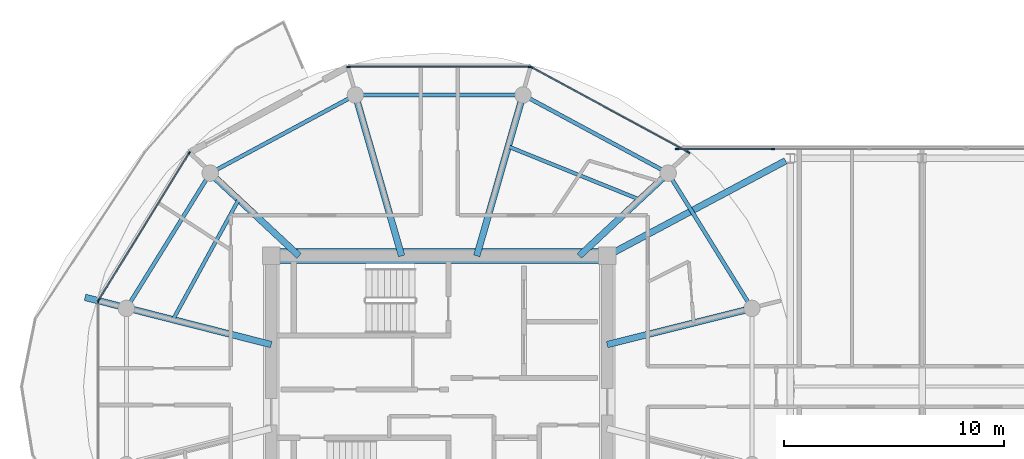
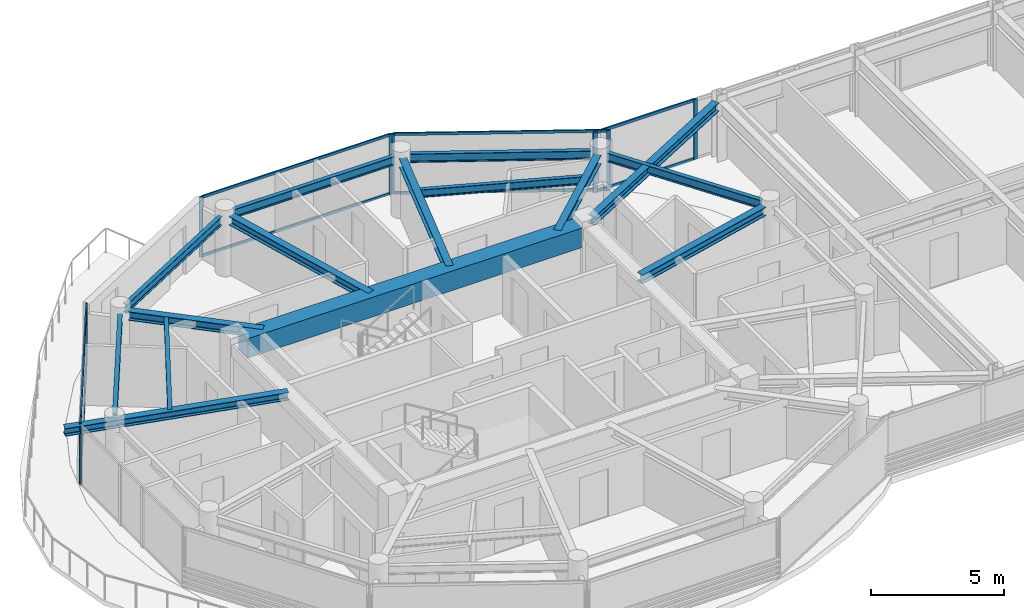
# One storey, part 5 of 23: 17 members, 15 beams, 5 elements without a shape of their own.
"""IFC4 building model written with IfcOpenShell, lengths in metres."""

from ifc_helpers import new_model, si_unit, direction, frame, origin, origin_2d, place, context, subcontext, project, spatial, rectangle, i_section, extrude, source, transform, mapped, material, layer, layer_set, material_profile, profile_set, type_object, type_shapes, element, aggregate, save


model = new_model("IFC4")

# Units and contexts
model_context = context("Model", 3, precision=1e-05, world=origin(), true_north=direction((0.0, 1.0)))
body_context = subcontext(model_context, "Body", "Model", "MODEL_VIEW")
ifc_project = project(units=[si_unit("LENGTHUNIT", "METRE"), si_unit("AREAUNIT", "SQUARE_METRE"), si_unit("VOLUMEUNIT", "CUBIC_METRE"), si_unit("PLANEANGLEUNIT", "RADIAN"), si_unit("MASSUNIT", "GRAM", prefix="KILO")], contexts=[model_context])

# Site, building, storey
site_placement = place(None, origin())
site = spatial("IfcSite", under=ifc_project, at=site_placement, CompositionType="ELEMENT")
building_placement = place(site_placement, origin())
building = spatial("IfcBuilding", under=site, at=building_placement, Name="Norrkilde Senior Care Towers", CompositionType="ELEMENT")
storey_placement = place(building_placement, frame((0.0, 0.0, 207.800048828125)))
storey = spatial("IfcBuildingStorey", under=building, at=storey_placement, Name="L64", CompositionType="ELEMENT", Elevation=207.800048828125)

# Beams
ifc_material_1 = material(Name="Concrete C60/75", Category="concrete")
ifc_material_profile_1 = material_profile(ifc_material_1, rectangle(XDim=0.699951171875, YDim=0.89990234375, at=origin_2d()), Name="RC BM 700x900")
ifc_profile_set_1 = profile_set([ifc_material_profile_1], Name="Concrete C60/75")
beam_type_1 = type_object("IfcBeamType", Name="Core Coupling Girder 700x900", PredefinedType="USERDEFINED", material=ifc_profile_set_1)
shared_shape_1 = source(origin(), body_context, "Body", "SweptSolid", [
    extrude(rectangle(XDim=0.699951171875, YDim=0.89990234375, at=origin_2d()), origin(), (0.0, 0.0, 1.0), 14.5400390625),
])
type_shapes(beam_type_1, [shared_shape_1])
beam_1_placement = place(storey_placement, frame((-35.27001953125, 5.949951171875, 2.31005859375), z_axis=(1.0, 0.0, 0.0), x_axis=(0.0, 1.0, 0.0)))
element("IfcBeam", 1, at=beam_1_placement, inside=storey, type_object=beam_type_1, Name="L64 Core W N Coupling Girder", ObjectType="GIRDER", PredefinedType="USERDEFINED", context=body_context, shape_type="MappedRepresentation", body=[
    mapped(shared_shape_1, transform((0.0, 0.0, 0.0), x_axis=(1.0, 0.0, 0.0), y_axis=(0.0, 1.0, 0.0), z_axis=(0.0, 0.0, 1.0), scale=1.0)),
])
ifc_material_2 = material(Name="Steel S355", Category="steel")
ifc_material_profile_2 = material_profile(ifc_material_2, i_section(OverallWidth=0.179931640625, OverallDepth=0.39990234375, WebThickness=0.008544921875, FlangeThickness=0.013427734375, FilletRadius=0.02099609375, at=origin_2d()), Name="IPE 400")
ifc_profile_set_2 = profile_set([ifc_material_profile_2], Name="Steel S355")
beam_type_2 = type_object("IfcBeamType", Name="Perimeter Ring Spandrel Z4 IPE400", PredefinedType="SPANDREL", material=ifc_profile_set_2)
shared_shape_2 = source(origin(), body_context, "Body", "SweptSolid", [
    extrude(i_section(OverallWidth=0.179931640625, OverallDepth=0.39990234375, WebThickness=0.008544921875, FlangeThickness=0.013427734375, FilletRadius=0.02099609375, at=origin_2d()), origin(), (0.0, 0.0, 1.0), 6.58056640625),
])
for number, where, z_axis, x_axis, name in (
    (2, (-13.928955078125, 3.843505859375, 2.56005859375), (-0.526529583789, 0.850156807533, 0.0), (-0.850156807533, -0.526529583789, 0.0), "L64 Drum W Perimeter Spandrel 01"),
    (3, (-38.606201171875, 9.43798828125, 2.56005859375), (-0.526529583789, -0.850156807533, 0.0), (0.850156807533, -0.526529583789, 0.0), "L64 Drum W Perimeter Spandrel 05"),
):
    element("IfcBeam", number, at=place(storey_placement, frame(where, z_axis=z_axis, x_axis=x_axis)), inside=storey, type_object=beam_type_2, Name=name, PredefinedType="SPANDREL", context=body_context, shape_type="MappedRepresentation", body=[
        mapped(shared_shape_2, transform((0.0, 0.0, 0.0), x_axis=(1.0, 0.0, 0.0), y_axis=(0.0, 1.0, 0.0), z_axis=(0.0, 0.0, 1.0), scale=1.0)),
    ])
ifc_material_profile_3 = material_profile(ifc_material_2, i_section(OverallWidth=0.300048828125, OverallDepth=0.39990234375, WebThickness=0.013427734375, FlangeThickness=0.02392578125, FilletRadius=0.027099609375, at=origin_2d()), Name="HEB 400")
ifc_profile_set_3 = profile_set([ifc_material_profile_3], Name="Steel S355")
beam_type_3 = type_object("IfcBeamType", Name="Radial Floor Beam Z4 HEB400", PredefinedType="BEAM", material=ifc_profile_set_3)
shared_shape_3 = source(origin(), body_context, "Body", "SweptSolid", [
    extrude(i_section(OverallWidth=0.300048828125, OverallDepth=0.39990234375, WebThickness=0.013427734375, FlangeThickness=0.02392578125, FilletRadius=0.027099609375, at=origin_2d()), origin(), (0.0, 0.0, 1.0), 6.465087890625),
])
beam_2_placement = place(storey_placement, frame((-20.35009765625, 1.910888671875, 2.56005859375), z_axis=(0.970195788563, 0.242322371758, 0.0), x_axis=(-0.242322371758, 0.970195788563, 0.0)))
element("IfcBeam", 4, at=beam_2_placement, inside=storey, type_object=beam_type_3, Name="L64 Drum W Radial Floor Beam 01", PredefinedType="BEAM", context=body_context, shape_type="MappedRepresentation", body=[
    mapped(shared_shape_3, transform((0.0, 0.0, 0.0), x_axis=(1.0, 0.0, 0.0), y_axis=(0.0, 1.0, 0.0), z_axis=(0.0, 0.0, 1.0), scale=1.0)),
])
shared_shape_4 = source(origin(), body_context, "Body", "SweptSolid", [
    extrude(i_section(OverallWidth=0.179931640625, OverallDepth=0.39990234375, WebThickness=0.008544921875, FlangeThickness=0.013427734375, FilletRadius=0.02099609375, at=origin_2d()), origin(), (0.0, 0.0, 1.0), 6.839111328125),
])
for number, where, z_axis, x_axis, name in (
    (5, (-17.865234375, 9.881591796875, 2.56005859375), (-0.880563930732, 0.473927382511, 0.0), (-0.473927382511, -0.880563930732, 0.0), "L64 Drum W Perimeter Spandrel 02"),
    (6, (-32.112548828125, 13.122802734375, 2.56005859375), (-0.880563930732, -0.473927382511, 0.0), (0.473927382511, -0.880563930732, 0.0), "L64 Drum W Perimeter Spandrel 04"),
):
    element("IfcBeam", number, at=place(storey_placement, frame(where, z_axis=z_axis, x_axis=x_axis)), inside=storey, type_object=beam_type_2, Name=name, PredefinedType="SPANDREL", context=body_context, shape_type="MappedRepresentation", body=[
        mapped(shared_shape_4, transform((0.0, 0.0, 0.0), x_axis=(1.0, 0.0, 0.0), y_axis=(0.0, 1.0, 0.0), z_axis=(0.0, 0.0, 1.0), scale=1.0)),
    ])
shared_shape_5 = source(origin(), body_context, "Body", "SweptSolid", [
    extrude(i_section(OverallWidth=0.300048828125, OverallDepth=0.39990234375, WebThickness=0.013427734375, FlangeThickness=0.02392578125, FilletRadius=0.027099609375, at=origin_2d()), origin(), (0.0, 0.0, 1.0), 5.197998046875),
])
for number, where, z_axis, x_axis, name in (
    (7, (-21.6171875, 5.949951171875, 2.56005859375), (0.731448749334, 0.681896419625, 0.0), (-0.681896419625, 0.731448749334, 0.0), "L64 Drum W Radial Floor Beam 02"),
    (8, (-34.3828125, 5.949951171875, 2.56005859375), (-0.731448749334, 0.681896419625, 0.0), (-0.681896419625, -0.731448749334, 0.0), "L64 Drum W Radial Floor Beam 05"),
):
    element("IfcBeam", number, at=place(storey_placement, frame(where, z_axis=z_axis, x_axis=x_axis)), inside=storey, type_object=beam_type_3, Name=name, PredefinedType="BEAM", context=body_context, shape_type="MappedRepresentation", body=[
        mapped(shared_shape_5, transform((0.0, 0.0, 0.0), x_axis=(1.0, 0.0, 0.0), y_axis=(0.0, 1.0, 0.0), z_axis=(0.0, 0.0, 1.0), scale=1.0)),
    ])
shared_shape_6 = source(origin(), body_context, "Body", "SweptSolid", [
    extrude(i_section(OverallWidth=0.179931640625, OverallDepth=0.39990234375, WebThickness=0.008544921875, FlangeThickness=0.013427734375, FilletRadius=0.02099609375, at=origin_2d()), origin(), (0.0, 0.0, 1.0), 6.96533203125),
])
type_shapes(beam_type_2, [shared_shape_2, shared_shape_4, shared_shape_6])
beam_3_placement = place(storey_placement, frame((-24.517333984375, 13.281494140625, 2.56005859375), z_axis=(-1.0, 0.0, 0.0), x_axis=(0.0, -1.0, 0.0)))
element("IfcBeam", 9, at=beam_3_placement, inside=storey, type_object=beam_type_2, Name="L64 Drum W Perimeter Spandrel 03", PredefinedType="SPANDREL", context=body_context, shape_type="MappedRepresentation", body=[
    mapped(shared_shape_6, transform((0.0, 0.0, 0.0), x_axis=(1.0, 0.0, 0.0), y_axis=(0.0, 1.0, 0.0), z_axis=(0.0, 0.0, 1.0), scale=1.0)),
])
shared_shape_7 = source(origin(), body_context, "Body", "SweptSolid", [
    extrude(i_section(OverallWidth=0.300048828125, OverallDepth=0.39990234375, WebThickness=0.013427734375, FlangeThickness=0.02392578125, FilletRadius=0.027099609375, at=origin_2d()), origin(), (0.0, 0.0, 1.0), 7.29345703125),
])
for number, where, z_axis, x_axis, name in (
    (10, (-26.289794921875, 5.949951171875, 2.56005859375), (0.276263751906, 0.961081858836, 0.0), (-0.961081858836, 0.276263751906, 0.0), "L64 Drum W Radial Floor Beam 03"),
    (11, (-29.710205078125, 5.949951171875, 2.56005859375), (-0.276263751906, 0.961081858836, 0.0), (-0.961081858836, -0.276263751906, 0.0), "L64 Drum W Radial Floor Beam 04"),
):
    element("IfcBeam", number, at=place(storey_placement, frame(where, z_axis=z_axis, x_axis=x_axis)), inside=storey, type_object=beam_type_3, Name=name, PredefinedType="BEAM", context=body_context, shape_type="MappedRepresentation", body=[
        mapped(shared_shape_7, transform((0.0, 0.0, 0.0), x_axis=(1.0, 0.0, 0.0), y_axis=(0.0, 1.0, 0.0), z_axis=(0.0, 0.0, 1.0), scale=1.0)),
    ])
ifc_material_profile_4 = material_profile(ifc_material_2, i_section(OverallWidth=0.169921875, OverallDepth=0.360107421875, WebThickness=0.008056640625, FlangeThickness=0.0126953125, FilletRadius=0.01806640625, at=origin_2d()), Name="IPE 360")
ifc_profile_set_4 = profile_set([ifc_material_profile_4], Name="Steel S355")
beam_type_4 = type_object("IfcBeamType", Name="Secondary Floor Joist IPE360", PredefinedType="JOIST", material=ifc_profile_set_4)
shared_shape_8 = source(origin(), body_context, "Body", "SweptSolid", [
    extrude(i_section(OverallWidth=0.169921875, OverallDepth=0.360107421875, WebThickness=0.008056640625, FlangeThickness=0.0126953125, FilletRadius=0.01806640625, at=origin_2d()), origin(), (0.0, 0.0, 1.0), 6.461669921875),
])
beam_4_placement = place(storey_placement, frame((-18.865234375, 8.515380859375, 2.579833984375), z_axis=(-0.927225942298, 0.374502405772, 0.0), x_axis=(-0.374502405772, -0.927225942298, 0.0)))
element("IfcBeam", 12, at=beam_4_placement, inside=storey, type_object=beam_type_4, Name="L64 Drum W Secondary Floor Joist 1", PredefinedType="JOIST", context=body_context, shape_type="MappedRepresentation", body=[
    mapped(shared_shape_8, transform((0.0, 0.0, 0.0), x_axis=(1.0, 0.0, 0.0), y_axis=(0.0, 1.0, 0.0), z_axis=(0.0, 0.0, 1.0), scale=1.0)),
])
shared_shape_9 = source(origin(), body_context, "Body", "SweptSolid", [
    extrude(i_section(OverallWidth=0.169921875, OverallDepth=0.360107421875, WebThickness=0.008056640625, FlangeThickness=0.0126953125, FilletRadius=0.01806640625, at=origin_2d()), origin(), (0.0, 0.0, 1.0), 6.25146484375),
])
type_shapes(beam_type_4, [shared_shape_8, shared_shape_9])
beam_5_placement = place(storey_placement, frame((-37.134765625, 8.515380859375, 2.579833984375), z_axis=(-0.480115752653, -0.877205143655, 0.0), x_axis=(0.877205143655, -0.480115752653, 0.0)))
element("IfcBeam", 13, at=beam_5_placement, inside=storey, type_object=beam_type_4, Name="L64 Drum W Secondary Floor Joist 2", PredefinedType="JOIST", context=body_context, shape_type="MappedRepresentation", body=[
    mapped(shared_shape_9, transform((0.0, 0.0, 0.0), x_axis=(1.0, 0.0, 0.0), y_axis=(0.0, 1.0, 0.0), z_axis=(0.0, 0.0, 1.0), scale=1.0)),
])
ifc_material_profile_5 = material_profile(ifc_material_2, i_section(OverallWidth=0.300048828125, OverallDepth=0.360107421875, WebThickness=0.012451171875, FlangeThickness=0.0224609375, FilletRadius=0.027099609375, at=origin_2d()), Name="HEB 360")
ifc_profile_set_5 = profile_set([ifc_material_profile_5], Name="Steel S355")
beam_type_5 = type_object("IfcBeamType", Name="Balcony Crest Cantilever Rib HEB360", PredefinedType="BEAM", material=ifc_profile_set_5)
shared_shape_10 = source(origin(), body_context, "Body", "SweptSolid", [
    extrude(i_section(OverallWidth=0.300048828125, OverallDepth=0.360107421875, WebThickness=0.012451171875, FlangeThickness=0.0224609375, FilletRadius=0.027099609375, at=origin_2d()), origin(), (0.0, 0.0, 1.0), 8.749755859375),
])
type_shapes(beam_type_5, [shared_shape_10])
beam_6_placement = place(storey_placement, frame((-35.64990234375, 1.910888671875, 2.579833984375), z_axis=(-0.969266368231, 0.246013632584, 0.0), x_axis=(-0.246013632584, -0.969266368231, 0.0)))
element("IfcBeam", 14, at=beam_6_placement, inside=storey, type_object=beam_type_5, Name="L64 Drum W Balcony Cantilever Rib", PredefinedType="BEAM", context=body_context, shape_type="MappedRepresentation", body=[
    mapped(shared_shape_10, transform((0.0, 0.0, 0.0), x_axis=(1.0, 0.0, 0.0), y_axis=(0.0, 1.0, 0.0), z_axis=(0.0, 0.0, 1.0), scale=1.0)),
])
shared_shape_11 = source(origin(), body_context, "Body", "SweptSolid", [
    extrude(i_section(OverallWidth=0.300048828125, OverallDepth=0.39990234375, WebThickness=0.013427734375, FlangeThickness=0.02392578125, FilletRadius=0.027099609375, at=origin_2d()), origin(), (0.0, 0.0, 1.0), 8.831787109375),
])
type_shapes(beam_type_3, [shared_shape_3, shared_shape_5, shared_shape_7, shared_shape_11])
beam_7_placement = place(storey_placement, frame((-20.0146484375, 6.128662109375, 2.56005859375), z_axis=(0.882492172381, 0.470327083727, 0.0), x_axis=(-0.470327083727, 0.882492172381, 0.0)))
element("IfcBeam", 15, at=beam_7_placement, inside=storey, type_object=beam_type_3, Name="L64 Sky-Gate Bridge Girder N1", PredefinedType="BEAM", context=body_context, shape_type="MappedRepresentation", body=[
    mapped(shared_shape_11, transform((0.0, 0.0, 0.0), x_axis=(1.0, 0.0, 0.0), y_axis=(0.0, 1.0, 0.0), z_axis=(0.0, 0.0, 1.0), scale=1.0)),
])

# Curtain wall, members
ifc_material_3 = material(Name="Triple Low-E Insulated Glazing", Category="glass")
ifc_layer_1 = layer(ifc_material_3, 0.18505859375)
ifc_layer_set_1 = layer_set([ifc_layer_1], Name="Triple Low-E Insulated Glazing")
curtain_wall_type_1 = type_object("IfcCurtainWallType", Name="CW6 Zone 4 Crown Pavilion Curtain Wall", PredefinedType="NOTDEFINED", material=ifc_layer_set_1)
curtain_wall_1_placement = place(storey_placement, origin())
curtain_wall_1 = element("IfcCurtainWall", 16, at=curtain_wall_1_placement, inside=storey, type_object=curtain_wall_type_1, Name="L64 Drum W Curtain Wall 04", PredefinedType="NOTDEFINED")
ifc_material_4 = material(Name="Anodised Aluminium", Category="aluminium")
ifc_material_profile_6 = material_profile(ifc_material_4, rectangle(XDim=0.06005859375, YDim=0.1201171875, at=origin_2d()), Name="ALU TRAN 60x120")
ifc_profile_set_6 = profile_set([ifc_material_profile_6], Name="Anodised Aluminium")
member_type_1 = type_object("IfcMemberType", Name="Curtain Wall Transom Typical 60x120", PredefinedType="USERDEFINED", material=ifc_profile_set_6)
shared_shape_12 = source(origin(), body_context, "Body", "SweptSolid", [
    extrude(rectangle(XDim=0.06005859375, YDim=0.1201171875, at=origin_2d()), origin(), (0.0, 0.0, 1.0), 7.808837890625),
])
member_1_placement = place(storey_placement, frame((-43.498046875, 3.958251953125, 0.030029296875), z_axis=(0.524250924101, 0.851563837055, 0.0), x_axis=(-0.851563837055, 0.524250924101, 0.0)))
member_1 = element("IfcMember", 17, at=member_1_placement, type_object=member_type_1, Name="CW-6 transom 1.1", ObjectType="TRANSOM", PredefinedType="USERDEFINED", context=body_context, shape_type="MappedRepresentation", body=[
    mapped(shared_shape_12, transform((0.0, 0.0, 0.0), x_axis=(1.0, 0.0, 0.0), y_axis=(0.0, 1.0, 0.0), z_axis=(0.0, 0.0, 1.0), scale=1.0)),
])
member_2_placement = place(storey_placement, frame((-43.498046875, 3.958251953125, 2.72998046875), z_axis=(0.524250924101, 0.851563837055, 0.0), x_axis=(-0.851563837055, 0.524250924101, 0.0)))
member_2 = element("IfcMember", 18, at=member_2_placement, type_object=member_type_1, Name="CW-6 transom 1.2", ObjectType="TRANSOM", PredefinedType="USERDEFINED", context=body_context, shape_type="MappedRepresentation", body=[
    mapped(shared_shape_12, transform((0.0, 0.0, 0.0), x_axis=(1.0, 0.0, 0.0), y_axis=(0.0, 1.0, 0.0), z_axis=(0.0, 0.0, 1.0), scale=1.0)),
])

curtain_wall_2_placement = place(storey_placement, origin())
curtain_wall_2 = element("IfcCurtainWall", 19, at=curtain_wall_2_placement, inside=storey, type_object=curtain_wall_type_1, Name="L64 Drum W Curtain Wall 02", PredefinedType="NOTDEFINED")
shared_shape_13 = source(origin(), body_context, "Body", "SweptSolid", [
    extrude(rectangle(XDim=0.06005859375, YDim=0.1201171875, at=origin_2d()), origin(), (0.0, 0.0, 1.0), 8.19384765625),
])
member_3_placement = place(storey_placement, frame((-32.096923828125, 14.566162109375, 0.030029296875), z_axis=(1.0, 0.0, 0.0), x_axis=(0.0, 1.0, 0.0)))
member_3 = element("IfcMember", 20, at=member_3_placement, type_object=member_type_1, Name="CW-6 transom 1.1", ObjectType="TRANSOM", PredefinedType="USERDEFINED", context=body_context, shape_type="MappedRepresentation", body=[
    mapped(shared_shape_13, transform((0.0, 0.0, 0.0), x_axis=(1.0, 0.0, 0.0), y_axis=(0.0, 1.0, 0.0), z_axis=(0.0, 0.0, 1.0), scale=1.0)),
])
member_4_placement = place(storey_placement, frame((-32.096923828125, 14.566162109375, 2.72998046875), z_axis=(1.0, 0.0, 0.0), x_axis=(0.0, 1.0, 0.0)))
member_4 = element("IfcMember", 21, at=member_4_placement, type_object=member_type_1, Name="CW-6 transom 1.2", ObjectType="TRANSOM", PredefinedType="USERDEFINED", context=body_context, shape_type="MappedRepresentation", body=[
    mapped(shared_shape_13, transform((0.0, 0.0, 0.0), x_axis=(1.0, 0.0, 0.0), y_axis=(0.0, 1.0, 0.0), z_axis=(0.0, 0.0, 1.0), scale=1.0)),
])

curtain_wall_3_placement = place(storey_placement, origin())
curtain_wall_3 = element("IfcCurtainWall", 22, at=curtain_wall_3_placement, inside=storey, type_object=curtain_wall_type_1, Name="L64 Drum W Curtain Wall 01", PredefinedType="NOTDEFINED")
shared_shape_14 = source(origin(), body_context, "Body", "SweptSolid", [
    extrude(rectangle(XDim=0.06005859375, YDim=0.1201171875, at=origin_2d()), origin(), (0.0, 0.0, 1.0), 8.0673828125),
])
type_shapes(member_type_1, [shared_shape_12, shared_shape_13, shared_shape_14])
member_5_placement = place(storey_placement, frame((-23.781005859375, 14.53515625, 0.030029296875), z_axis=(0.87937750072, -0.476125205411, 0.0), x_axis=(0.476125205411, 0.87937750072, 0.0)))
member_5 = element("IfcMember", 23, at=member_5_placement, type_object=member_type_1, Name="CW-6 transom 1.1", ObjectType="TRANSOM", PredefinedType="USERDEFINED", context=body_context, shape_type="MappedRepresentation", body=[
    mapped(shared_shape_14, transform((0.0, 0.0, 0.0), x_axis=(1.0, 0.0, 0.0), y_axis=(0.0, 1.0, 0.0), z_axis=(0.0, 0.0, 1.0), scale=1.0)),
])
member_6_placement = place(storey_placement, frame((-23.781005859375, 14.53515625, 2.72998046875), z_axis=(0.87937750072, -0.476125205411, 0.0), x_axis=(0.476125205411, 0.87937750072, 0.0)))
member_6 = element("IfcMember", 24, at=member_6_placement, type_object=member_type_1, Name="CW-6 transom 1.2", ObjectType="TRANSOM", PredefinedType="USERDEFINED", context=body_context, shape_type="MappedRepresentation", body=[
    mapped(shared_shape_14, transform((0.0, 0.0, 0.0), x_axis=(1.0, 0.0, 0.0), y_axis=(0.0, 1.0, 0.0), z_axis=(0.0, 0.0, 1.0), scale=1.0)),
])
ifc_material_profile_7 = material_profile(ifc_material_4, rectangle(XDim=0.06494140625, YDim=0.14990234375, at=origin_2d()), Name="ALU MULL 65x150")
ifc_profile_set_7 = profile_set([ifc_material_profile_7], Name="Anodised Aluminium")
member_type_2 = type_object("IfcMemberType", Name="Curtain Wall Mullion Z3-Z4 65x150", PredefinedType="MULLION", material=ifc_profile_set_7)
shared_shape_15 = source(origin(), body_context, "Body", "SweptSolid", [
    extrude(rectangle(XDim=0.06494140625, YDim=0.14990234375, at=origin_2d()), origin(), (0.0, 0.0, 1.0), 2.760009765625),
])
type_shapes(member_type_2, [shared_shape_15])
member_7_placement = place(storey_placement, frame((-23.8095703125, 14.55078125, 0.0), z_axis=(0.0, 0.0, 1.0), x_axis=(0.476132676136, 0.879373455772, 0.0)))
member_7 = element("IfcMember", 25, at=member_7_placement, type_object=member_type_2, Name="CW-6 mullion 1", PredefinedType="MULLION", context=body_context, shape_type="MappedRepresentation", body=[
    mapped(shared_shape_15, transform((0.0, 0.0, 0.0), x_axis=(1.0, 0.0, 0.0), y_axis=(0.0, 1.0, 0.0), z_axis=(0.0, 0.0, 1.0), scale=1.0)),
])
member_8_placement = place(storey_placement, frame((-16.658203125, 10.6787109375, 0.0), z_axis=(0.0, 0.0, 1.0), x_axis=(0.476132676136, 0.879373455772, 0.0)))
member_8 = element("IfcMember", 26, at=member_8_placement, type_object=member_type_2, Name="CW-6 mullion 2", PredefinedType="MULLION", context=body_context, shape_type="MappedRepresentation", body=[
    mapped(shared_shape_15, transform((0.0, 0.0, 0.0), x_axis=(1.0, 0.0, 0.0), y_axis=(0.0, 1.0, 0.0), z_axis=(0.0, 0.0, 1.0), scale=1.0)),
])
aggregate(curtain_wall_3, [member_7, member_8, member_5, member_6])

# Member
member_9_placement = place(storey_placement, frame((-32.12939453125, 14.566162109375, 0.0), z_axis=(0.0, 0.0, 1.0), x_axis=(0.0, 1.0, 0.0)))
member_9 = element("IfcMember", 27, at=member_9_placement, type_object=member_type_2, Name="CW-6 mullion 1", PredefinedType="MULLION", context=body_context, shape_type="MappedRepresentation", body=[
    mapped(shared_shape_15, transform((0.0, 0.0, 0.0), x_axis=(1.0, 0.0, 0.0), y_axis=(0.0, 1.0, 0.0), z_axis=(0.0, 0.0, 1.0), scale=1.0)),
])

member_10_placement = place(storey_placement, frame((-23.87060546875, 14.566162109375, 0.0), z_axis=(0.0, 0.0, 1.0), x_axis=(0.0, 1.0, 0.0)))
member_10 = element("IfcMember", 28, at=member_10_placement, type_object=member_type_2, Name="CW-6 mullion 2", PredefinedType="MULLION", context=body_context, shape_type="MappedRepresentation", body=[
    mapped(shared_shape_15, transform((0.0, 0.0, 0.0), x_axis=(1.0, 0.0, 0.0), y_axis=(0.0, 1.0, 0.0), z_axis=(0.0, 0.0, 1.0), scale=1.0)),
])

aggregate(curtain_wall_2, [member_9, member_10, member_3, member_4])

member_11_placement = place(storey_placement, frame((-43.51513671875, 3.9306640625, 0.0), z_axis=(0.0, 0.0, 1.0), x_axis=(-0.851562727283, 0.524252726748, 0.0)))
member_11 = element("IfcMember", 29, at=member_11_placement, type_object=member_type_2, Name="CW-6 mullion 1", PredefinedType="MULLION", context=body_context, shape_type="MappedRepresentation", body=[
    mapped(shared_shape_15, transform((0.0, 0.0, 0.0), x_axis=(1.0, 0.0, 0.0), y_axis=(0.0, 1.0, 0.0), z_axis=(0.0, 0.0, 1.0), scale=1.0)),
])

member_12_placement = place(storey_placement, frame((-39.38720703125, 10.635498046875, 0.0), z_axis=(0.0, 0.0, 1.0), x_axis=(-0.851562727283, 0.524252726748, 0.0)))
member_12 = element("IfcMember", 30, at=member_12_placement, type_object=member_type_2, Name="CW-6 mullion 2", PredefinedType="MULLION", context=body_context, shape_type="MappedRepresentation", body=[
    mapped(shared_shape_15, transform((0.0, 0.0, 0.0), x_axis=(1.0, 0.0, 0.0), y_axis=(0.0, 1.0, 0.0), z_axis=(0.0, 0.0, 1.0), scale=1.0)),
])

aggregate(curtain_wall_1, [member_11, member_12, member_1, member_2])

# Curtain wall, member
curtain_wall_4_placement = place(storey_placement, origin())
curtain_wall_4 = element("IfcCurtainWall", 31, at=curtain_wall_4_placement, inside=storey, type_object=curtain_wall_type_1, Name="L64 Drum W Curtain Wall 05", PredefinedType="NOTDEFINED")
member_13_placement = place(storey_placement, frame((-43.531982421875, 3.87060546875, 0.0), z_axis=(0.0, 0.0, 1.0), x_axis=(-1.0, 0.0, 0.0)))
member_13 = element("IfcMember", 32, at=member_13_placement, type_object=member_type_2, Name="CW-6 mullion 2", PredefinedType="MULLION", context=body_context, shape_type="MappedRepresentation", body=[
    mapped(shared_shape_15, transform((0.0, 0.0, 0.0), x_axis=(1.0, 0.0, 0.0), y_axis=(0.0, 1.0, 0.0), z_axis=(0.0, 0.0, 1.0), scale=1.0)),
])
aggregate(curtain_wall_4, [member_13])

# Curtain wall, members
ifc_layer_2 = layer(ifc_material_3, 0.2099609375)
ifc_layer_set_2 = layer_set([ifc_layer_2], Name="Triple Low-E Insulated Glazing")
curtain_wall_type_2 = type_object("IfcCurtainWallType", Name="CW5 Sky-Gate Bridge Curtain Wall", PredefinedType="NOTDEFINED", material=ifc_layer_set_2)
curtain_wall_5_placement = place(storey_placement, origin())
curtain_wall_5 = element("IfcCurtainWall", 33, at=curtain_wall_5_placement, inside=storey, type_object=curtain_wall_type_2, Name="L64 Sky-Gate Bridge North Curtain Wall 1", PredefinedType="NOTDEFINED")
ifc_material_profile_8 = material_profile(ifc_material_4, rectangle(XDim=0.06494140625, YDim=0.1298828125, at=origin_2d()), Name="ALU TRAN 65x130")
ifc_profile_set_8 = profile_set([ifc_material_profile_8], Name="Anodised Aluminium")
member_type_3 = type_object("IfcMemberType", Name="Curtain Wall Transom Heavy 65x130", PredefinedType="USERDEFINED", material=ifc_profile_set_8)
shared_shape_16 = source(origin(), body_context, "Body", "SweptSolid", [
    extrude(rectangle(XDim=0.06494140625, YDim=0.1298828125, at=origin_2d()), origin(), (0.0, 0.0, 1.0), 4.294921875),
])
type_shapes(member_type_3, [shared_shape_16])
member_14_placement = place(storey_placement, frame((-17.1298828125, 10.820068359375, 0.032470703125), z_axis=(1.0, 0.0, 0.0), x_axis=(0.0, 1.0, 0.0)))
member_14 = element("IfcMember", 34, at=member_14_placement, type_object=member_type_3, Name="CW-5 transom 1.1", ObjectType="TRANSOM", PredefinedType="USERDEFINED", context=body_context, shape_type="MappedRepresentation", body=[
    mapped(shared_shape_16, transform((0.0, 0.0, 0.0), x_axis=(1.0, 0.0, 0.0), y_axis=(0.0, 1.0, 0.0), z_axis=(0.0, 0.0, 1.0), scale=1.0)),
])
member_15_placement = place(storey_placement, frame((-17.1298828125, 10.820068359375, 2.7275390625), z_axis=(1.0, 0.0, 0.0), x_axis=(0.0, 1.0, 0.0)))
member_15 = element("IfcMember", 35, at=member_15_placement, type_object=member_type_3, Name="CW-5 transom 1.2", ObjectType="TRANSOM", PredefinedType="USERDEFINED", context=body_context, shape_type="MappedRepresentation", body=[
    mapped(shared_shape_16, transform((0.0, 0.0, 0.0), x_axis=(1.0, 0.0, 0.0), y_axis=(0.0, 1.0, 0.0), z_axis=(0.0, 0.0, 1.0), scale=1.0)),
])
ifc_material_profile_9 = material_profile(ifc_material_4, rectangle(XDim=0.070068359375, YDim=0.169921875, at=origin_2d()), Name="ALU MULL 70x170")
ifc_profile_set_9 = profile_set([ifc_material_profile_9], Name="Anodised Aluminium")
member_type_4 = type_object("IfcMemberType", Name="Curtain Wall Mullion Heavy 70x170", PredefinedType="MULLION", material=ifc_profile_set_9)
shared_shape_17 = source(origin(), body_context, "Body", "SweptSolid", [
    extrude(rectangle(XDim=0.070068359375, YDim=0.169921875, at=origin_2d()), origin(), (0.0, 0.0, 1.0), 2.760009765625),
])
type_shapes(member_type_4, [shared_shape_17])
member_16_placement = place(storey_placement, frame((-17.1650390625, 10.820068359375, 0.0), z_axis=(0.0, 0.0, 1.0), x_axis=(0.0, 1.0, 0.0)))
member_16 = element("IfcMember", 36, at=member_16_placement, type_object=member_type_4, Name="CW-5 mullion 1", PredefinedType="MULLION", context=body_context, shape_type="MappedRepresentation", body=[
    mapped(shared_shape_17, transform((0.0, 0.0, 0.0), x_axis=(1.0, 0.0, 0.0), y_axis=(0.0, 1.0, 0.0), z_axis=(0.0, 0.0, 1.0), scale=1.0)),
])
member_17_placement = place(storey_placement, frame((-12.800048828125, 10.820068359375, 0.0), z_axis=(0.0, 0.0, 1.0), x_axis=(0.0, 1.0, 0.0)))
member_17 = element("IfcMember", 37, at=member_17_placement, type_object=member_type_4, Name="CW-5 mullion 2", PredefinedType="MULLION", context=body_context, shape_type="MappedRepresentation", body=[
    mapped(shared_shape_17, transform((0.0, 0.0, 0.0), x_axis=(1.0, 0.0, 0.0), y_axis=(0.0, 1.0, 0.0), z_axis=(0.0, 0.0, 1.0), scale=1.0)),
])
aggregate(curtain_wall_5, [member_16, member_17, member_14, member_15])

save(model, "model.ifc")
